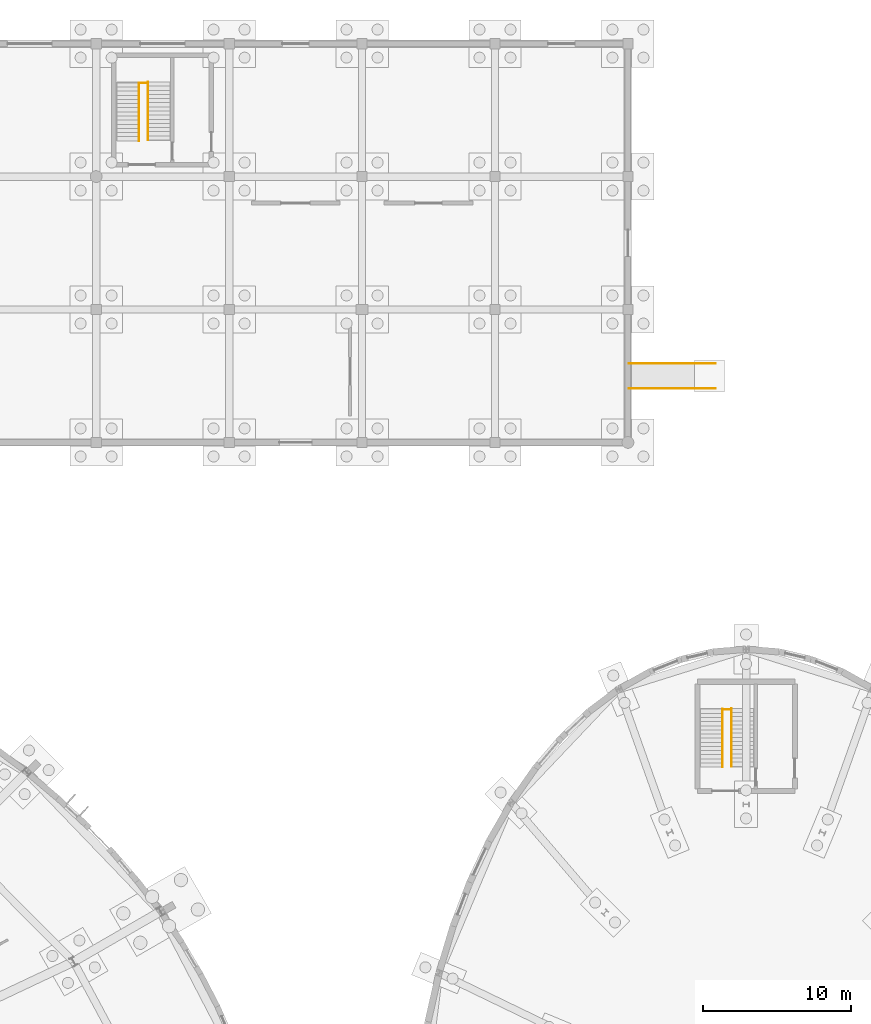
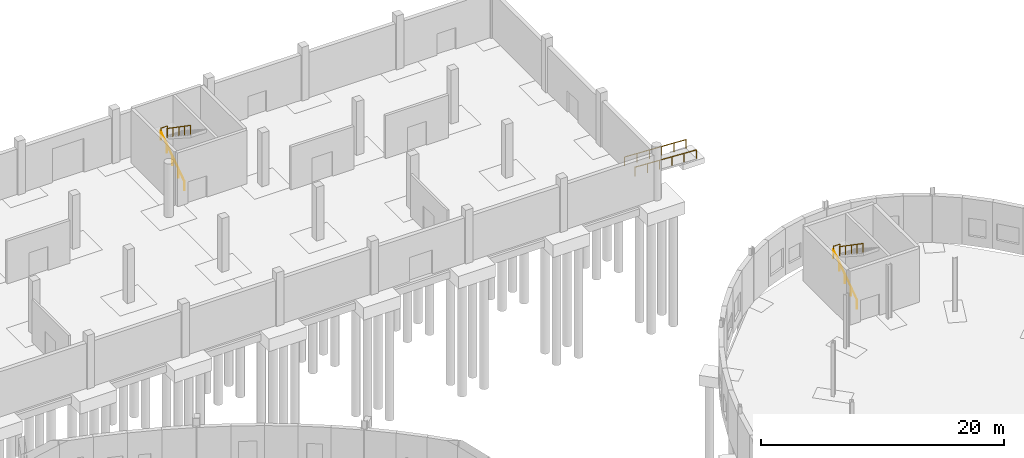
# One storey, part 117 of 118: 8 railings.
"""IFC4 building model written with IfcOpenShell, lengths in metres."""

from ifc_helpers import new_model, si_unit, direction, frame, origin, origin_2d, place, context, subcontext, project, spatial, circle, extrude, material, type_object, element, save


model = new_model("IFC4")

# Units and contexts
model_context = context("Model", 3, precision=1e-05, world=origin(), true_north=direction((0.0, 1.0)))
body_context = subcontext(model_context, "Body", "Model", "MODEL_VIEW")
ifc_project = project(units=[si_unit("LENGTHUNIT", "METRE"), si_unit("AREAUNIT", "SQUARE_METRE"), si_unit("VOLUMEUNIT", "CUBIC_METRE"), si_unit("PLANEANGLEUNIT", "RADIAN"), si_unit("MASSUNIT", "GRAM", prefix="KILO")], contexts=[model_context])

# Site, building, storey
site_placement = place(None, origin())
site = spatial("IfcSite", under=ifc_project, at=site_placement, CompositionType="ELEMENT")
building_placement = place(site_placement, origin())
building = spatial("IfcBuilding", under=site, at=building_placement, Name="Kildeholm Park Wholesale Market", CompositionType="ELEMENT")
storey_placement = place(building_placement, origin())
storey = spatial("IfcBuildingStorey", under=building, at=storey_placement, Name="L00", CompositionType="ELEMENT", Elevation=0.0)

# Railings
ifc_material_1 = material(Name="Painted steel and laminated glass balustrade", Category="steel")
railing_type_1 = type_object("IfcRailingType", Name="Interior gallery and stairwell guard GR-IN1 1200 mm", PredefinedType="GUARDRAIL", material=ifc_material_1)
for number, where, name in (
    (1, (146.89990234375, 168.330078125, 2.699951171875), "Stair C03 half-landing well guard L00 RLG-0042"),
    (2, (186.39990234375, 125.929931640625, 2.699951171875), "Stair C13 half-landing well guard L00 RLG-0138"),
):
    element("IfcRailing", number, at=place(storey_placement, frame(where)), inside=storey, type_object=railing_type_1, Name=name, PredefinedType="GUARDRAIL", context=body_context, shape_type="SweptSolid", body=[
        extrude(circle(Radius=0.02392578125, at=origin_2d()), frame((0.0, 0.0, 1.17578125), z_axis=(1.0, 0.0, 0.0), x_axis=(0.0, 1.0, 0.0)), (0.0, 0.0, 1.0), 0.610107421875),
        extrude(circle(Radius=0.02099609375, at=origin_2d()), origin(), (0.0, 0.0, 1.0), 1.15185546875),
        extrude(circle(Radius=0.02099609375, at=origin_2d()), frame((0.610107421875, 0.0, 0.0)), (0.0, 0.0, 1.0), 1.15185546875),
    ])
ifc_material_2 = material(Name="Stainless steel AISI 316 handrail", Category="steel")
railing_type_2 = type_object("IfcRailingType", Name="Ramp handrail HR-EX1 900 mm", PredefinedType="HANDRAIL", material=ifc_material_2)
for number, where, name in (
    (3, (185.919921875, 149.35009765625, -0.300048828125), "Ramp handrail RM-DK-E R RLG-0020"),
    (4, (185.919921875, 147.64990234375, -0.300048828125), "Ramp handrail RM-DK-E L RLG-0021"),
):
    element("IfcRailing", number, at=place(storey_placement, frame(where)), inside=storey, type_object=railing_type_2, Name=name, PredefinedType="HANDRAIL", context=body_context, shape_type="SweptSolid", body=[
        extrude(circle(Radius=0.02392578125, at=origin_2d()), frame((0.0, 0.0, 0.8759765625), z_axis=(-0.998687171473, 0.0, 0.051224345133), x_axis=(0.0, -1.0, 0.0)), (0.0, 0.0, 1.0), 5.857421875),
        extrude(circle(Radius=0.02099609375, at=origin_2d()), origin(), (0.0, 0.0, 1.0), 0.851806640625),
        extrude(circle(Radius=0.02099609375, at=origin_2d()), frame((-1.169921875, 0.0, 0.06005859375)), (0.0, 0.0, 1.0), 0.851806640625),
        extrude(circle(Radius=0.02099609375, at=origin_2d()), frame((-2.33984375, 0.0, 0.1201171875)), (0.0, 0.0, 1.0), 0.851806640625),
        extrude(circle(Radius=0.02099609375, at=origin_2d()), frame((-3.510009765625, 0.0, 0.179931640625)), (0.0, 0.0, 1.0), 0.851806640625),
        extrude(circle(Radius=0.02099609375, at=origin_2d()), frame((-4.679931640625, 0.0, 0.239990234375)), (0.0, 0.0, 1.0), 0.851806640625),
        extrude(circle(Radius=0.02099609375, at=origin_2d()), frame((-5.849853515625, 0.0, 0.300048828125)), (0.0, 0.0, 1.0), 0.851806640625),
    ])
railing_type_3 = type_object("IfcRailingType", Name="Stair flight handrail HR-IN1 900 mm", PredefinedType="HANDRAIL", material=ifc_material_2)
railing_1_placement = place(storey_placement, frame((146.89990234375, 164.419921875, 0.0)))
element("IfcRailing", 5, at=railing_1_placement, inside=storey, type_object=railing_type_3, Name="Stair C03 flight 1 handrail L00 RLG-0044", PredefinedType="HANDRAIL", context=body_context, shape_type="SweptSolid", body=[
    extrude(circle(Radius=0.02392578125, at=origin_2d()), frame((0.0, 0.0, 0.8759765625), z_axis=(0.0, 0.823567234665, 0.567218661528), x_axis=(-1.0, 0.0, 0.0)), (0.0, 0.0, 1.0), 4.760009765625),
    extrude(circle(Radius=0.02099609375, at=origin_2d()), origin(), (0.0, 0.0, 1.0), 0.851806640625),
    extrude(circle(Radius=0.02099609375, at=origin_2d()), frame((0.0, 0.97998046875, 0.675048828125)), (0.0, 0.0, 1.0), 0.851806640625),
    extrude(circle(Radius=0.02099609375, at=origin_2d()), frame((0.0, 1.9599609375, 1.35009765625)), (0.0, 0.0, 1.0), 0.851806640625),
    extrude(circle(Radius=0.02099609375, at=origin_2d()), frame((0.0, 2.940185546875, 2.02490234375)), (0.0, 0.0, 1.0), 0.851806640625),
    extrude(circle(Radius=0.02099609375, at=origin_2d()), frame((0.0, 3.920166015625, 2.699951171875)), (0.0, 0.0, 1.0), 0.851806640625),
])
railing_2_placement = place(storey_placement, frame((147.510009765625, 168.39990234375, 2.699951171875)))
element("IfcRailing", 6, at=railing_2_placement, inside=storey, type_object=railing_type_3, Name="Stair C03 flight 2 handrail L00 RLG-0045", PredefinedType="HANDRAIL", context=body_context, shape_type="SweptSolid", body=[
    extrude(circle(Radius=0.02392578125, at=origin_2d()), frame((0.0, 0.0, 0.8759765625), z_axis=(0.0, -0.823550731654, 0.567242622158), x_axis=(1.0, 0.0, 0.0)), (0.0, 0.0, 1.0), 4.759765625),
    extrude(circle(Radius=0.02099609375, at=origin_2d()), origin(), (0.0, 0.0, 1.0), 0.851806640625),
    extrude(circle(Radius=0.02099609375, at=origin_2d()), frame((0.0, -0.97998046875, 0.675048828125)), (0.0, 0.0, 1.0), 0.851806640625),
    extrude(circle(Radius=0.02099609375, at=origin_2d()), frame((0.0, -1.9599609375, 1.35009765625)), (0.0, 0.0, 1.0), 0.851806640625),
    extrude(circle(Radius=0.02099609375, at=origin_2d()), frame((0.0, -2.93994140625, 2.02490234375)), (0.0, 0.0, 1.0), 0.851806640625),
    extrude(circle(Radius=0.02099609375, at=origin_2d()), frame((0.0, -3.919921875, 2.699951171875)), (0.0, 0.0, 1.0), 0.851806640625),
])
railing_3_placement = place(storey_placement, frame((186.39990234375, 122.02001953125, 0.0)))
element("IfcRailing", 7, at=railing_3_placement, inside=storey, type_object=railing_type_3, Name="Stair C13 flight 1 handrail L00 RLG-0140", PredefinedType="HANDRAIL", context=body_context, shape_type="SweptSolid", body=[
    extrude(circle(Radius=0.02392578125, at=origin_2d()), frame((0.0, 0.0, 0.8759765625), z_axis=(0.0, 0.823550731654, 0.567242622158), x_axis=(-1.0, 0.0, 0.0)), (0.0, 0.0, 1.0), 4.759765625),
    extrude(circle(Radius=0.02099609375, at=origin_2d()), origin(), (0.0, 0.0, 1.0), 0.851806640625),
    extrude(circle(Radius=0.02099609375, at=origin_2d()), frame((0.0, 0.97998046875, 0.675048828125)), (0.0, 0.0, 1.0), 0.851806640625),
    extrude(circle(Radius=0.02099609375, at=origin_2d()), frame((0.0, 1.9599609375, 1.35009765625)), (0.0, 0.0, 1.0), 0.851806640625),
    extrude(circle(Radius=0.02099609375, at=origin_2d()), frame((0.0, 2.93994140625, 2.02490234375)), (0.0, 0.0, 1.0), 0.851806640625),
    extrude(circle(Radius=0.02099609375, at=origin_2d()), frame((0.0, 3.919921875, 2.699951171875)), (0.0, 0.0, 1.0), 0.851806640625),
])
railing_4_placement = place(storey_placement, frame((187.010009765625, 126.0, 2.699951171875)))
element("IfcRailing", 8, at=railing_4_placement, inside=storey, type_object=railing_type_3, Name="Stair C13 flight 2 handrail L00 RLG-0141", PredefinedType="HANDRAIL", context=body_context, shape_type="SweptSolid", body=[
    extrude(circle(Radius=0.02392578125, at=origin_2d()), frame((0.0, 0.0, 0.8759765625), z_axis=(0.0, -0.823550731654, 0.567242622158), x_axis=(1.0, 0.0, 0.0)), (0.0, 0.0, 1.0), 4.759765625),
    extrude(circle(Radius=0.02099609375, at=origin_2d()), origin(), (0.0, 0.0, 1.0), 0.851806640625),
    extrude(circle(Radius=0.02099609375, at=origin_2d()), frame((0.0, -0.97998046875, 0.675048828125)), (0.0, 0.0, 1.0), 0.851806640625),
    extrude(circle(Radius=0.02099609375, at=origin_2d()), frame((0.0, -1.9599609375, 1.35009765625)), (0.0, 0.0, 1.0), 0.851806640625),
    extrude(circle(Radius=0.02099609375, at=origin_2d()), frame((0.0, -2.93994140625, 2.02490234375)), (0.0, 0.0, 1.0), 0.851806640625),
    extrude(circle(Radius=0.02099609375, at=origin_2d()), frame((0.0, -3.919921875, 2.699951171875)), (0.0, 0.0, 1.0), 0.851806640625),
])

save(model, "model.ifc")
